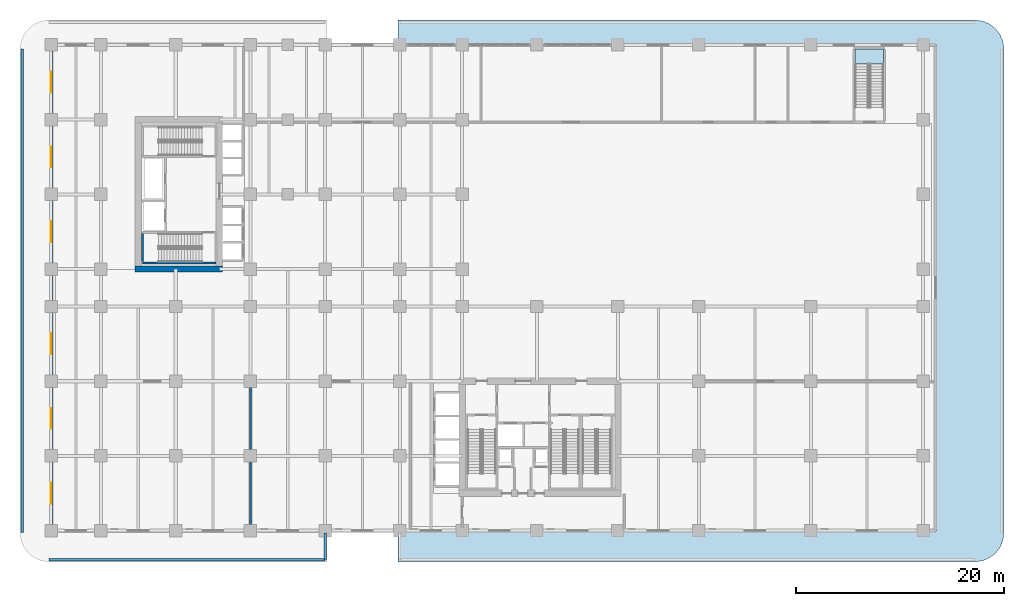
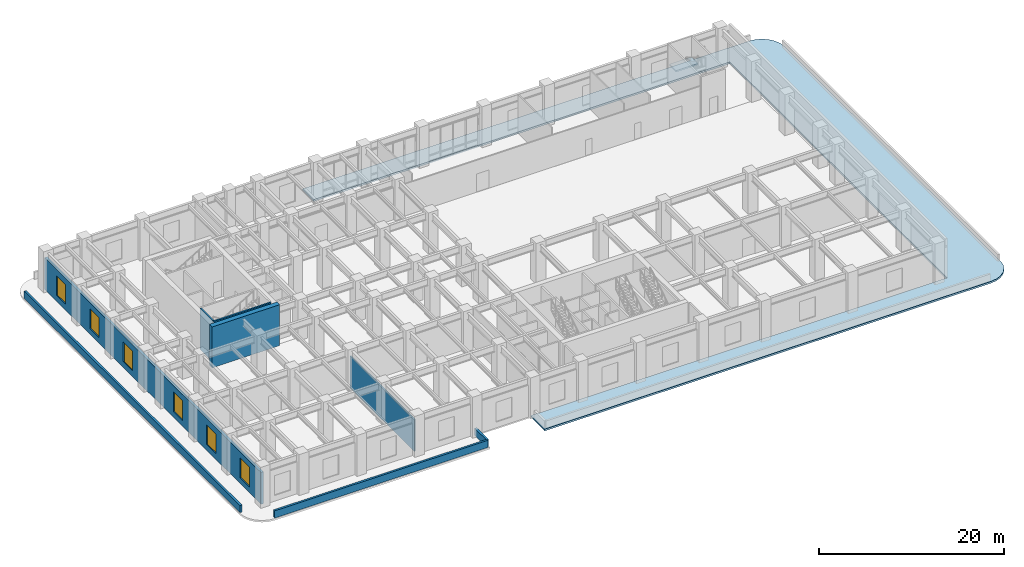
# One storey, part 9 of 20: 8 walls, 6 windows, 2 slabs, 6 openings, 1 element without a shape of its own.
"""IFC4 building model written with IfcOpenShell, lengths in metres."""

from ifc_helpers import new_model, si_unit, derived_unit, direction, frame, frame_2d, origin, place, context, subcontext, project, spatial, polyline, rectangle, outline, extrude, source, transform, mapped, material, layer, layer_set, type_object, type_shapes, element, fill, aggregate, save


model = new_model("IFC4")

# Units and contexts
model_context = context("Model", 3, precision=1e-05, world=origin(), true_north=direction((0.0, 1.0)))
body_context = subcontext(model_context, "Body", "Model", "MODEL_VIEW")
ifc_project = project(units=[si_unit("LENGTHUNIT", "METRE"), si_unit("AREAUNIT", "SQUARE_METRE"), si_unit("VOLUMEUNIT", "CUBIC_METRE"), si_unit("PLANEANGLEUNIT", "RADIAN"), si_unit("MASSUNIT", "GRAM", prefix="KILO"), si_unit("THERMODYNAMICTEMPERATUREUNIT", "KELVIN"), si_unit("POWERUNIT", "WATT"), derived_unit("THERMALTRANSMITTANCEUNIT", [(si_unit("POWERUNIT", "WATT"), 1), (si_unit("AREAUNIT", "SQUARE_METRE"), -1), (si_unit("THERMODYNAMICTEMPERATUREUNIT", "KELVIN"), -1)])], contexts=[model_context])

# Site, building, storey
site_placement = place(None, origin())
site = spatial("IfcSite", under=ifc_project, at=site_placement, CompositionType="ELEMENT")
building_placement = place(site_placement, origin())
building = spatial("IfcBuilding", under=site, at=building_placement, Name="Zahravan Archway Hotel and Residences", CompositionType="ELEMENT")
storey_placement = place(building_placement, frame((0.0, 0.0, 16.199951171875)))
storey = spatial("IfcBuildingStorey", under=building, at=storey_placement, Name="L03", CompositionType="ELEMENT", Elevation=16.199951171875)

# Stair, slab
ifc_material_1 = material(Name="Concrete C50/60", Category="concrete")
stair_type = type_object("IfcStairType", Name="STR-CORE-1300", PredefinedType="HALF_TURN_STAIR", material=ifc_material_1)
stair_placement = place(storey_placement, origin())
stair = element("IfcStair", 1, at=stair_placement, inside=storey, type_object=stair_type, Name="L03 East Station Galleria Exit Stair", PredefinedType="HALF_TURN_STAIR")
ifc_layer_1 = layer(ifc_material_1, 0.199951171875, Name="Concrete C50/60", Category="concrete")
ifc_layer_set_1 = layer_set([ifc_layer_1], Name="Concrete C50/60")
slab_type_1 = type_object("IfcSlabType", Name="SLB-LND-200", PredefinedType="LANDING", material=ifc_layer_set_1)
slab_1_placement = place(storey_placement, frame((0.0, 0.0, 2.5)))
slab_1 = element("IfcSlab", 2, at=slab_1_placement, type_object=slab_type_1, Name="ST-P1 landing 1", PredefinedType="LANDING", context=body_context, shape_type="SweptSolid", body=[
    extrude(outline(polyline([(75.39990234375, 44.969970703125), (75.39990234375, 46.39990234375), (72.659912109375, 46.39990234375), (72.659912109375, 44.969970703125), (75.39990234375, 44.969970703125)])), origin(), (0.0, 0.0, 1.0), 0.199951171875),
])
aggregate(stair, [slab_1])

# Slab
ifc_material_2 = material(Name="Concrete C45/55", Category="concrete")
ifc_layer_2 = layer(ifc_material_2, 0.239990234375, Name="Concrete C45/55", Category="concrete")
ifc_layer_set_2 = layer_set([ifc_layer_2], Name="Concrete C45/55")
slab_type_2 = type_object("IfcSlabType", Name="SLB-ROOF-240", PredefinedType="ROOF", material=ifc_layer_set_2)
slab_2_placement = place(storey_placement, frame((0.0, 0.0, -0.239990234375)))
element("IfcSlab", 3, at=slab_2_placement, inside=storey, type_object=slab_type_2, Name="Three-Storey Colonnade Portico Entablature Slab 2", PredefinedType="ROOF", context=body_context, shape_type="SweptSolid", body=[
    extrude(outline(polyline([(84.199951171875, 49.199951171875), (84.9248046875, 49.1044921875), (85.60009765625, 48.824951171875), (86.179931640625, 48.3798828125), (86.625, 47.800048828125), (86.904541015625, 47.124755859375), (87.0, 46.39990234375), (87.0, -0.199951171875), (86.904541015625, -0.9248046875), (86.625, -1.60009765625), (86.179931640625, -2.179931640625), (85.60009765625, -2.625), (84.9248046875, -2.904541015625), (84.199951171875, -3.0), (28.60009765625, -3.0), (28.60009765625, -0.030029296875), (80.39990234375, -0.030029296875), (80.40283203125, -0.02978515625), (80.406005859375, -0.029296875), (80.40869140625, -0.02880859375), (80.41162109375, -0.027587890625), (80.4140625, -0.026611328125), (80.416748046875, -0.02490234375), (80.4189453125, -0.023193359375), (80.421142578125, -0.021240234375), (80.423095703125, -0.01904296875), (80.4248046875, -0.0166015625), (80.426513671875, -0.01416015625), (80.427734375, -0.011474609375), (80.4287109375, -0.0087890625), (80.429443359375, -0.005859375), (80.429931640625, -0.0029296875), (80.429931640625, 0.0), (80.429931640625, 46.800048828125), (80.429931640625, 46.802978515625), (80.429443359375, 46.805908203125), (80.4287109375, 46.80859375), (80.427734375, 46.8115234375), (80.426513671875, 46.814208984375), (80.4248046875, 46.816650390625), (80.423095703125, 46.819091796875), (80.421142578125, 46.8212890625), (80.4189453125, 46.8232421875), (80.416748046875, 46.824951171875), (80.4140625, 46.826416015625), (80.41162109375, 46.82763671875), (80.40869140625, 46.82861328125), (80.406005859375, 46.829345703125), (80.40283203125, 46.829833984375), (80.39990234375, 46.830078125), (28.60009765625, 46.830078125), (28.60009765625, 49.199951171875), (84.199951171875, 49.199951171875)])), origin(), (0.0, 0.0, 1.0), 0.239990234375),
])

# Walls
ifc_material_3 = material(Name="Concrete C70/85", Category="concrete")
ifc_layer_3 = layer(ifc_material_3, 0.60009765625, Name="Concrete C70/85", Category="concrete")
ifc_layer_set_3 = layer_set([ifc_layer_3], Name="Concrete C70/85")
wall_type_1 = type_object("IfcWallType", Name="CW-CORE-600", PredefinedType="SHEAR", material=ifc_layer_set_3)
wall_1_placement = place(storey_placement, frame((3.300048828125, 25.199951171875, 0.0), z_axis=(0.0, 0.0, 1.0), x_axis=(1.0, 0.0, 0.0)))
element("IfcWall", 4, at=wall_1_placement, inside=storey, type_object=wall_type_1, Name="L03 Core B Shear S Wall 600 mm", PredefinedType="SHEAR", context=body_context, shape_type="SweptSolid", body=[
    extrude(rectangle(XDim=8.39990234375, YDim=0.60009765625, at=frame_2d((4.199951171875, 0.0))), origin(), (0.0, 0.0, 1.0), 5.400146484375),
])
ifc_material_4 = material(Name="Agra Buff Sandstone Coping Wall", Category="masonry")
ifc_layer_4 = layer(ifc_material_4, 0.25, Name="Agra Buff Sandstone Coping Wall", Category="masonry")
ifc_layer_set_4 = layer_set([ifc_layer_4], Name="Agra Buff Sandstone Coping Wall")
wall_type_2 = type_object("IfcWallType", Name="EW-PARA-250", PredefinedType="PARAPET", material=ifc_layer_set_4)
wall_2_placement = place(storey_placement, frame((-7.60009765625, -0.18701171875, 0.0), z_axis=(0.0, 0.0, 1.0), x_axis=(0.0, 1.0, 0.0)))
element("IfcWall", 5, at=wall_2_placement, inside=storey, type_object=wall_type_2, Name="L03 Portico Coping Parapet 1", PredefinedType="PARAPET", context=body_context, shape_type="SweptSolid", body=[
    extrude(rectangle(XDim=46.573974609375, YDim=0.25, at=frame_2d((23.287109375, 0.0))), origin(), (0.0, 0.0, 1.0), 0.949951171875),
])
wall_3_placement = place(storey_placement, frame((21.60009765625, -0.22998046875, 0.0), z_axis=(0.0, 0.0, 1.0), x_axis=(0.0, -1.0, 0.0)))
element("IfcWall", 6, at=wall_3_placement, inside=storey, type_object=wall_type_2, Name="L03 Portico Coping Parapet 3", PredefinedType="PARAPET", context=body_context, shape_type="SweptSolid", body=[
    extrude(rectangle(XDim=2.570068359375, YDim=0.25, at=frame_2d((1.28515625, 0.0))), origin(), (0.0, 0.0, 1.0), 0.949951171875),
])
wall_4_placement = place(storey_placement, frame((21.60009765625, -2.800048828125, 0.0), z_axis=(0.0, 0.0, 1.0), x_axis=(-1.0, 0.0, 0.0)))
element("IfcWall", 7, at=wall_4_placement, inside=storey, type_object=wall_type_2, Name="L03 Portico Coping Parapet 4", PredefinedType="PARAPET", context=body_context, shape_type="SweptSolid", body=[
    extrude(rectangle(XDim=26.5869140625, YDim=0.25, at=frame_2d((13.29345703125, 0.0))), origin(), (0.0, 0.0, 1.0), 0.949951171875),
])

# Wall, openings, windows
ifc_material_5 = material(Name="Agra Buff Sandstone & Insulated Backup", Category="masonry")
ifc_layer_5 = layer(ifc_material_5, 0.320068359375, Name="Agra Buff Sandstone & Insulated Backup", Category="masonry")
ifc_layer_set_5 = layer_set([ifc_layer_5], Name="Agra Buff Sandstone & Insulated Backup")
wall_type_3 = type_object("IfcWallType", Name="EW-SAND-320", PredefinedType="SOLIDWALL", material=ifc_layer_set_5)
wall_5_placement = place(storey_placement, frame((-4.800048828125, 0.050048828125, 0.0), z_axis=(0.0, 0.0, 1.0), x_axis=(0.0, 1.0, 0.0)))
wall_5 = element("IfcWall", 8, at=wall_5_placement, inside=storey, type_object=wall_type_3, Name="L03 Podium Sandstone W Wall", PredefinedType="SOLIDWALL", context=body_context, shape_type="SweptSolid", body=[
    extrude(rectangle(XDim=46.699951171875, YDim=0.320068359375, at=frame_2d((23.35009765625, 0.0))), origin(), (0.0, 0.0, 1.0), 4.18505859375),
])
opening_1_placement = place(wall_5_placement, frame((2.550048828125, 0.0, 0.75)))
opening_1 = element("IfcOpeningElement", 9, at=opening_1_placement, cuts=wall_5, Name="Opening W-01", PredefinedType="OPENING", context=body_context, shape_type="SweptSolid", body=[
    extrude(rectangle(XDim=2.0, YDim=2.60009765625, at=frame_2d((1.0, 1.300048828125))), frame((0.0, 0.169921875, 0.0), z_axis=(0.0, -1.0, 0.0), x_axis=(1.0, 0.0, 0.0)), (0.0, 0.0, 1.0), 0.340087890625),
])
opening_2_placement = place(wall_5_placement, frame((9.75, 0.0, 0.75)))
opening_2 = element("IfcOpeningElement", 10, at=opening_2_placement, cuts=wall_5, Name="Opening W-01", PredefinedType="OPENING", context=body_context, shape_type="SweptSolid", body=[
    extrude(rectangle(XDim=2.0, YDim=2.60009765625, at=frame_2d((1.0, 1.300048828125))), frame((0.0, 0.169921875, 0.0), z_axis=(0.0, -1.0, 0.0), x_axis=(1.0, 0.0, 0.0)), (0.0, 0.0, 1.0), 0.340087890625),
])
opening_3_placement = place(wall_5_placement, frame((16.949951171875, 0.0, 0.75)))
opening_3 = element("IfcOpeningElement", 11, at=opening_3_placement, cuts=wall_5, Name="Opening W-01", PredefinedType="OPENING", context=body_context, shape_type="SweptSolid", body=[
    extrude(rectangle(XDim=2.0, YDim=2.60009765625, at=frame_2d((1.0, 1.300048828125))), frame((0.0, 0.169921875, 0.0), z_axis=(0.0, -1.0, 0.0), x_axis=(1.0, 0.0, 0.0)), (0.0, 0.0, 1.0), 0.340087890625),
])
opening_4_placement = place(wall_5_placement, frame((27.75, 0.0, 0.75)))
opening_4 = element("IfcOpeningElement", 12, at=opening_4_placement, cuts=wall_5, Name="Opening W-01", PredefinedType="OPENING", context=body_context, shape_type="SweptSolid", body=[
    extrude(rectangle(XDim=2.0, YDim=2.60009765625, at=frame_2d((1.0, 1.300048828125))), frame((0.0, 0.169921875, 0.0), z_axis=(0.0, -1.0, 0.0), x_axis=(1.0, 0.0, 0.0)), (0.0, 0.0, 1.0), 0.340087890625),
])
opening_5_placement = place(wall_5_placement, frame((34.949951171875, 0.0, 0.75)))
opening_5 = element("IfcOpeningElement", 13, at=opening_5_placement, cuts=wall_5, Name="Opening W-01", PredefinedType="OPENING", context=body_context, shape_type="SweptSolid", body=[
    extrude(rectangle(XDim=2.0, YDim=2.60009765625, at=frame_2d((1.0, 1.300048828125))), frame((0.0, 0.169921875, 0.0), z_axis=(0.0, -1.0, 0.0), x_axis=(1.0, 0.0, 0.0)), (0.0, 0.0, 1.0), 0.340087890625),
])
opening_6_placement = place(wall_5_placement, frame((42.14990234375, 0.0, 0.75)))
opening_6 = element("IfcOpeningElement", 14, at=opening_6_placement, cuts=wall_5, Name="Opening W-01", PredefinedType="OPENING", context=body_context, shape_type="SweptSolid", body=[
    extrude(rectangle(XDim=2.0, YDim=2.60009765625, at=frame_2d((1.0, 1.300048828125))), frame((0.0, 0.169921875, 0.0), z_axis=(0.0, -1.0, 0.0), x_axis=(1.0, 0.0, 0.0)), (0.0, 0.0, 1.0), 0.340087890625),
])
ifc_material_6 = material(Name="Bronze-Anodized Thermal-Break Aluminium & Low-E Glass", Category="aluminium")
window_type = type_object("IfcWindowType", Name="WIN-ARC-2000", PartitioningType="DOUBLE_PANEL_VERTICAL", PredefinedType="WINDOW", material=ifc_material_6)
shared_shape = source(origin(), body_context, "Body", "SweptSolid", [
    extrude(rectangle(XDim=2.0, YDim=2.60009765625, at=frame_2d((1.0, 1.300048828125))), frame((0.0, 0.030029296875, 0.0), z_axis=(0.0, -1.0, 0.0), x_axis=(1.0, 0.0, 0.0)), (0.0, 0.0, 1.0), 0.06005859375),
])
type_shapes(window_type, [shared_shape])
window_1_placement = place(opening_1_placement, origin())
window_1 = element("IfcWindow", 15, at=window_1_placement, inside=storey, type_object=window_type, Name="L03 Podium Mughal Arch Window 21", OverallHeight=2.60009765625, OverallWidth=2.0, PartitioningType="DOUBLE_PANEL_VERTICAL", PredefinedType="WINDOW", context=body_context, shape_type="MappedRepresentation", body=[
    mapped(shared_shape, transform((0.0, 0.0, 0.0), scale=1.0)),
])
fill(opening_1, window_1)
window_2_placement = place(opening_2_placement, origin())
window_2 = element("IfcWindow", 16, at=window_2_placement, inside=storey, type_object=window_type, Name="L03 Podium Mughal Arch Window 22", OverallHeight=2.60009765625, OverallWidth=2.0, PartitioningType="DOUBLE_PANEL_VERTICAL", PredefinedType="WINDOW", context=body_context, shape_type="MappedRepresentation", body=[
    mapped(shared_shape, transform((0.0, 0.0, 0.0), scale=1.0)),
])
fill(opening_2, window_2)
window_3_placement = place(opening_3_placement, origin())
window_3 = element("IfcWindow", 17, at=window_3_placement, inside=storey, type_object=window_type, Name="L03 Podium Mughal Arch Window 23", OverallHeight=2.60009765625, OverallWidth=2.0, PartitioningType="DOUBLE_PANEL_VERTICAL", PredefinedType="WINDOW", context=body_context, shape_type="MappedRepresentation", body=[
    mapped(shared_shape, transform((0.0, 0.0, 0.0), scale=1.0)),
])
fill(opening_3, window_3)
window_4_placement = place(opening_4_placement, origin())
window_4 = element("IfcWindow", 18, at=window_4_placement, inside=storey, type_object=window_type, Name="L03 Podium Mughal Arch Window 24", OverallHeight=2.60009765625, OverallWidth=2.0, PartitioningType="DOUBLE_PANEL_VERTICAL", PredefinedType="WINDOW", context=body_context, shape_type="MappedRepresentation", body=[
    mapped(shared_shape, transform((0.0, 0.0, 0.0), scale=1.0)),
])
fill(opening_4, window_4)
window_5_placement = place(opening_5_placement, origin())
window_5 = element("IfcWindow", 19, at=window_5_placement, inside=storey, type_object=window_type, Name="L03 Podium Mughal Arch Window 25", OverallHeight=2.60009765625, OverallWidth=2.0, PartitioningType="DOUBLE_PANEL_VERTICAL", PredefinedType="WINDOW", context=body_context, shape_type="MappedRepresentation", body=[
    mapped(shared_shape, transform((0.0, 0.0, 0.0), scale=1.0)),
])
fill(opening_5, window_5)
window_6_placement = place(opening_6_placement, origin())
window_6 = element("IfcWindow", 20, at=window_6_placement, inside=storey, type_object=window_type, Name="L03 Podium Mughal Arch Window 26", OverallHeight=2.60009765625, OverallWidth=2.0, PartitioningType="DOUBLE_PANEL_VERTICAL", PredefinedType="WINDOW", context=body_context, shape_type="MappedRepresentation", body=[
    mapped(shared_shape, transform((0.0, 0.0, 0.0), scale=1.0)),
])
fill(opening_6, window_6)

# Walls
ifc_material_7 = material(Name="Acoustic Stud Partition")
ifc_layer_6 = layer(ifc_material_7, 0.169921875, Name="Acoustic Stud Partition")
ifc_layer_set_6 = layer_set([ifc_layer_6], Name="Acoustic Stud Partition")
wall_type_4 = type_object("IfcWallType", Name="PW-UNIT-170", PredefinedType="PARTITIONING", material=ifc_layer_set_6)
wall_6_placement = place(storey_placement, frame((14.39990234375, 0.389892578125, 0.0), z_axis=(0.0, 0.0, 1.0), x_axis=(0.0, 1.0, 0.0)))
element("IfcWall", 21, at=wall_6_placement, inside=storey, type_object=wall_type_4, Name="L03 Partition L03-SV1", PredefinedType="PARTITIONING", context=body_context, shape_type="SweptSolid", body=[
    extrude(rectangle(XDim=13.8701171875, YDim=0.169921875, at=frame_2d((6.93505859375, 0.0))), origin(), (0.0, 0.0, 1.0), 4.18505859375),
])
ifc_layer_7 = layer(ifc_material_1, 0.199951171875, Name="Concrete C50/60", Category="concrete")
ifc_layer_set_7 = layer_set([ifc_layer_7], Name="Concrete C50/60")
wall_type_5 = type_object("IfcWallType", Name="SW-STAIR-200", PredefinedType="SHEAR", material=ifc_layer_set_7)
wall_7_placement = place(storey_placement, frame((4.0, 25.800048828125, 0.0), z_axis=(0.0, 0.0, 1.0), x_axis=(1.0, 0.0, 0.0)))
element("IfcWall", 22, at=wall_7_placement, inside=storey, type_object=wall_type_5, Name="L03 Stairwell RC Wall CB-SB1S", PredefinedType="SHEAR", context=body_context, shape_type="SweptSolid", body=[
    extrude(rectangle(XDim=7.10009765625, YDim=0.199951171875, at=frame_2d((3.550048828125, 0.0))), origin(), (0.0, 0.0, 1.0), 5.400146484375),
])
wall_8_placement = place(storey_placement, frame((4.0, 25.919921875, 0.0), z_axis=(0.0, 0.0, 1.0), x_axis=(0.0, 1.0, 0.0)))
element("IfcWall", 23, at=wall_8_placement, inside=storey, type_object=wall_type_5, Name="L03 Stairwell RC Wall CB-SB1W", PredefinedType="SHEAR", context=body_context, shape_type="SweptSolid", body=[
    extrude(rectangle(XDim=2.7001953125, YDim=0.199951171875, at=frame_2d((1.35009765625, 0.0))), origin(), (0.0, 0.0, 1.0), 5.400146484375),
])

save(model, "model.ifc")
